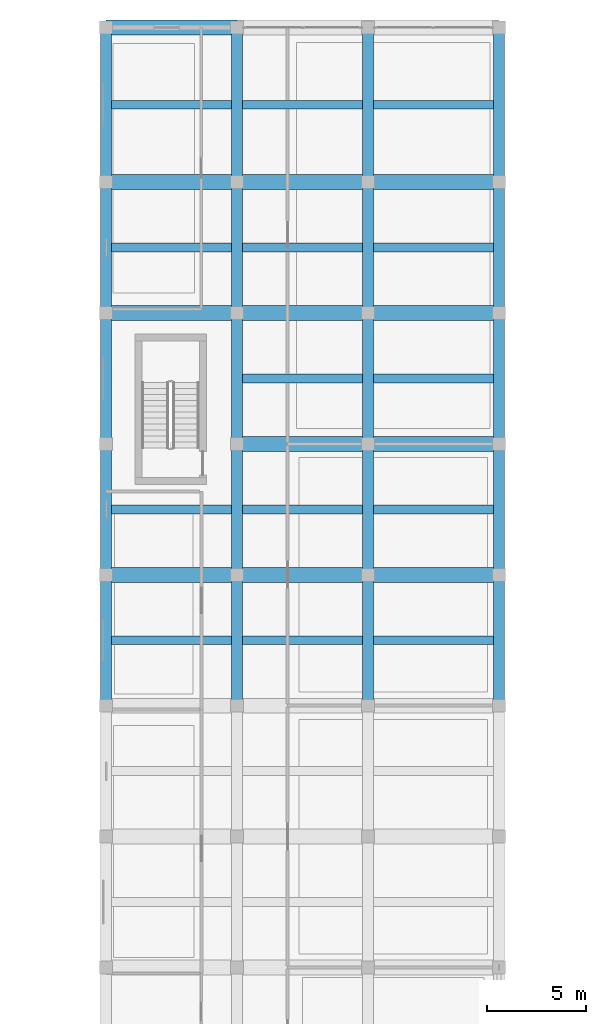
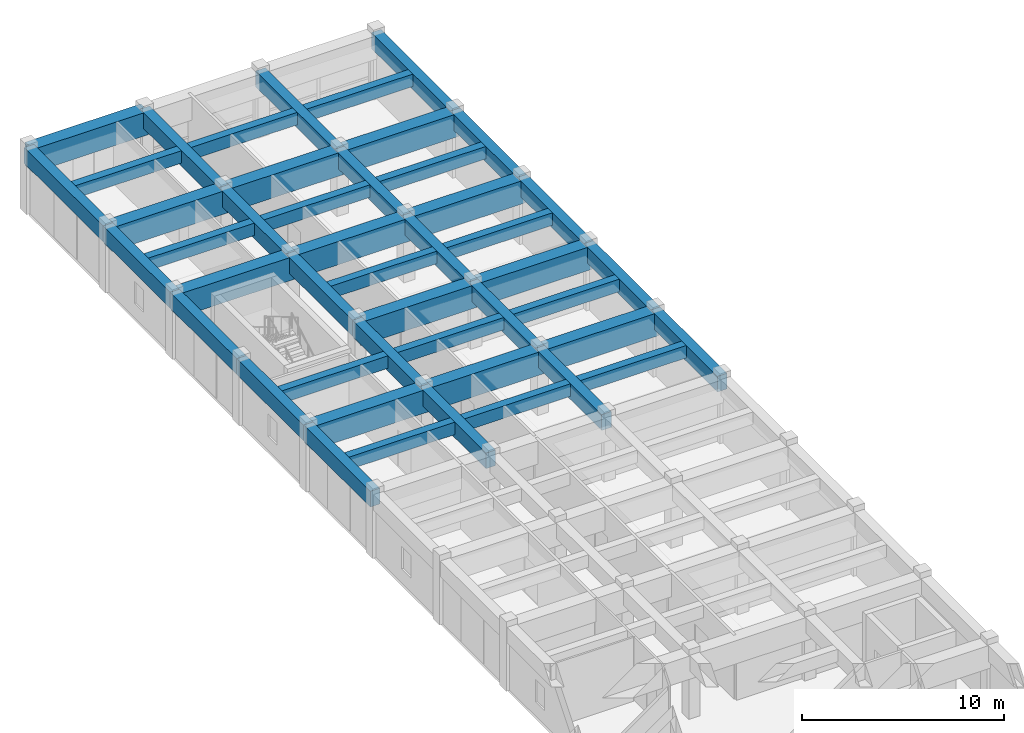
# One storey, part 97 of 147: 46 beams.
"""IFC4 building model written with IfcOpenShell, lengths in metres."""

from ifc_helpers import new_model, si_unit, direction, frame, origin, origin_2d, place, context, subcontext, project, spatial, rectangle, extrude, material, material_profile, profile_set, type_object, element, save


model = new_model("IFC4")

# Units and contexts
model_context = context("Model", 3, precision=1e-05, world=origin(), true_north=direction((0.0, 1.0)))
body_context = subcontext(model_context, "Body", "Model", "MODEL_VIEW")
ifc_project = project(units=[si_unit("LENGTHUNIT", "METRE"), si_unit("AREAUNIT", "SQUARE_METRE"), si_unit("VOLUMEUNIT", "CUBIC_METRE"), si_unit("PLANEANGLEUNIT", "RADIAN"), si_unit("MASSUNIT", "GRAM", prefix="KILO")], contexts=[model_context])

# Site, building, storey
site_placement = place(None, origin())
site = spatial("IfcSite", under=ifc_project, at=site_placement, CompositionType="ELEMENT")
building_placement = place(site_placement, origin())
building = spatial("IfcBuilding", under=site, at=building_placement, Name="Karori Crest Natural Sciences Institute", CompositionType="ELEMENT")
storey_placement = place(building_placement, frame((0.0, 0.0, 9.10009765625)))
storey = spatial("IfcBuildingStorey", under=building, at=storey_placement, Name="L02", CompositionType="ELEMENT", Elevation=9.10009765625)

# Beams
ifc_material = material(Name="Concrete 50 MPa", Category="concrete")
ifc_material_profile_1 = material_profile(ifc_material, rectangle(XDim=0.75, YDim=1.39990234375, at=origin_2d()), Name="RCB750x1400")
ifc_profile_set_1 = profile_set([ifc_material_profile_1], Name="Concrete 50 MPa")
beam_type_1 = type_object("IfcBeamType", Name="BT-17", PredefinedType="BEAM", material=ifc_profile_set_1)
beam_1_placement = place(storey_placement, frame((7.39990234375, 162.199951171875, 3.14990234375), z_axis=(1.0, 0.0, 0.0), x_axis=(0.0, 1.0, 0.0)))
element("IfcBeam", 1, at=beam_1_placement, inside=storey, type_object=beam_type_1, Name="Beam B-1579", PredefinedType="BEAM", context=body_context, shape_type="SweptSolid", body=[
    extrude(rectangle(XDim=0.75, YDim=1.39990234375, at=origin_2d()), origin(), (0.0, 0.0, 1.0), 6.60009765625),
])
ifc_material_profile_2 = material_profile(ifc_material, rectangle(XDim=0.75, YDim=1.39990234375, at=origin_2d()), Name="RCB750x1400")
ifc_profile_set_2 = profile_set([ifc_material_profile_2], Name="Concrete 50 MPa")
beam_type_2 = type_object("IfcBeamType", Name="BT-17-IL", PredefinedType="BEAM", material=ifc_profile_set_2)
for number, where, z_axis, x_axis, name in (
    (2, (7.39990234375, 134.60009765625, 3.14990234375), (1.0, 0.0, 0.0), (0.0, 1.0, 0.0), "Beam B-1568"),
    (3, (14.0, 134.60009765625, 3.14990234375), (1.0, 0.0, 0.0), (0.0, 1.0, 0.0), "Beam B-1569"),
):
    element("IfcBeam", number, at=place(storey_placement, frame(where, z_axis=z_axis, x_axis=x_axis)), inside=storey, type_object=beam_type_2, Name=name, PredefinedType="BEAM", context=body_context, shape_type="SweptSolid", body=[
        extrude(rectangle(XDim=0.75, YDim=1.39990234375, at=origin_2d()), origin(), (0.0, 0.0, 1.0), 6.60009765625),
    ])
beam_2_placement = place(storey_placement, frame((20.60009765625, 134.60009765625, 3.14990234375), z_axis=(1.0, 0.0, 0.0), x_axis=(0.0, 1.0, 0.0)))
element("IfcBeam", 4, at=beam_2_placement, inside=storey, type_object=beam_type_2, Name="Beam B-1570", PredefinedType="BEAM", context=body_context, shape_type="SweptSolid", body=[
    extrude(rectangle(XDim=0.75, YDim=1.39990234375, at=origin_2d()), origin(), (0.0, 0.0, 1.0), 6.599853515625),
])
beam_3_placement = place(storey_placement, frame((14.0, 141.199951171875, 3.14990234375), z_axis=(1.0, 0.0, 0.0), x_axis=(0.0, 1.0, 0.0)))
element("IfcBeam", 5, at=beam_3_placement, inside=storey, type_object=beam_type_2, Name="Beam B-1571", PredefinedType="BEAM", context=body_context, shape_type="SweptSolid", body=[
    extrude(rectangle(XDim=0.75, YDim=1.39990234375, at=origin_2d()), origin(), (0.0, 0.0, 1.0), 6.60009765625),
])
beam_4_placement = place(storey_placement, frame((20.60009765625, 141.199951171875, 3.14990234375), z_axis=(1.0, 0.0, 0.0), x_axis=(0.0, 1.0, 0.0)))
element("IfcBeam", 6, at=beam_4_placement, inside=storey, type_object=beam_type_2, Name="Beam B-1572", PredefinedType="BEAM", context=body_context, shape_type="SweptSolid", body=[
    extrude(rectangle(XDim=0.75, YDim=1.39990234375, at=origin_2d()), origin(), (0.0, 0.0, 1.0), 6.599853515625),
])
for number, where, z_axis, x_axis, name in (
    (7, (7.39990234375, 147.800048828125, 3.14990234375), (1.0, 0.0, 0.0), (0.0, 1.0, 0.0), "Beam B-1573"),
    (8, (14.0, 147.800048828125, 3.14990234375), (1.0, 0.0, 0.0), (0.0, 1.0, 0.0), "Beam B-1574"),
):
    element("IfcBeam", number, at=place(storey_placement, frame(where, z_axis=z_axis, x_axis=x_axis)), inside=storey, type_object=beam_type_2, Name=name, PredefinedType="BEAM", context=body_context, shape_type="SweptSolid", body=[
        extrude(rectangle(XDim=0.75, YDim=1.39990234375, at=origin_2d()), origin(), (0.0, 0.0, 1.0), 6.60009765625),
    ])
beam_5_placement = place(storey_placement, frame((20.60009765625, 147.800048828125, 3.14990234375), z_axis=(1.0, 0.0, 0.0), x_axis=(0.0, 1.0, 0.0)))
element("IfcBeam", 9, at=beam_5_placement, inside=storey, type_object=beam_type_2, Name="Beam B-1575", PredefinedType="BEAM", context=body_context, shape_type="SweptSolid", body=[
    extrude(rectangle(XDim=0.75, YDim=1.39990234375, at=origin_2d()), origin(), (0.0, 0.0, 1.0), 6.599853515625),
])
for number, where, z_axis, x_axis, name in (
    (10, (7.39990234375, 154.39990234375, 3.14990234375), (1.0, 0.0, 0.0), (0.0, 1.0, 0.0), "Beam B-1576"),
    (11, (14.0, 154.39990234375, 3.14990234375), (1.0, 0.0, 0.0), (0.0, 1.0, 0.0), "Beam B-1577"),
):
    element("IfcBeam", number, at=place(storey_placement, frame(where, z_axis=z_axis, x_axis=x_axis)), inside=storey, type_object=beam_type_2, Name=name, PredefinedType="BEAM", context=body_context, shape_type="SweptSolid", body=[
        extrude(rectangle(XDim=0.75, YDim=1.39990234375, at=origin_2d()), origin(), (0.0, 0.0, 1.0), 6.60009765625),
    ])
beam_6_placement = place(storey_placement, frame((20.60009765625, 154.39990234375, 3.14990234375), z_axis=(1.0, 0.0, 0.0), x_axis=(0.0, 1.0, 0.0)))
element("IfcBeam", 12, at=beam_6_placement, inside=storey, type_object=beam_type_2, Name="Beam B-1578", PredefinedType="BEAM", context=body_context, shape_type="SweptSolid", body=[
    extrude(rectangle(XDim=0.75, YDim=1.39990234375, at=origin_2d()), origin(), (0.0, 0.0, 1.0), 6.599853515625),
])
ifc_material_profile_3 = material_profile(ifc_material, rectangle(XDim=0.550048828125, YDim=0.949951171875, at=origin_2d()), Name="RCB550x950")
ifc_profile_set_3 = profile_set([ifc_material_profile_3], Name="Concrete 50 MPa")
beam_type_3 = type_object("IfcBeamType", Name="BT-34", PredefinedType="BEAM", material=ifc_profile_set_3)
beam_7_placement = place(storey_placement, frame((7.39990234375, 128.0, 3.375), z_axis=(0.0, 1.0, 0.0), x_axis=(-1.0, 0.0, 0.0)))
element("IfcBeam", 13, at=beam_7_placement, inside=storey, type_object=beam_type_3, Name="Beam B-1587", PredefinedType="BEAM", context=body_context, shape_type="SweptSolid", body=[
    extrude(rectangle(XDim=0.550048828125, YDim=0.949951171875, at=origin_2d()), origin(), (0.0, 0.0, 1.0), 6.60009765625),
])
beam_8_placement = place(storey_placement, frame((7.39990234375, 134.60009765625, 3.375), z_axis=(0.0, 1.0, 0.0), x_axis=(-1.0, 0.0, 0.0)))
element("IfcBeam", 14, at=beam_8_placement, inside=storey, type_object=beam_type_3, Name="Beam B-1588", PredefinedType="BEAM", context=body_context, shape_type="SweptSolid", body=[
    extrude(rectangle(XDim=0.550048828125, YDim=0.949951171875, at=origin_2d()), origin(), (0.0, 0.0, 1.0), 6.599853515625),
])
beam_9_placement = place(storey_placement, frame((7.39990234375, 141.199951171875, 3.375), z_axis=(0.0, 1.0, 0.0), x_axis=(-1.0, 0.0, 0.0)))
element("IfcBeam", 15, at=beam_9_placement, inside=storey, type_object=beam_type_3, Name="Beam B-1589", PredefinedType="BEAM", context=body_context, shape_type="SweptSolid", body=[
    extrude(rectangle(XDim=0.550048828125, YDim=0.949951171875, at=origin_2d()), origin(), (0.0, 0.0, 1.0), 6.60009765625),
])
beam_10_placement = place(storey_placement, frame((7.39990234375, 147.800048828125, 3.375), z_axis=(0.0, 1.0, 0.0), x_axis=(-1.0, 0.0, 0.0)))
element("IfcBeam", 16, at=beam_10_placement, inside=storey, type_object=beam_type_3, Name="Beam B-1590", PredefinedType="BEAM", context=body_context, shape_type="SweptSolid", body=[
    extrude(rectangle(XDim=0.550048828125, YDim=0.949951171875, at=origin_2d()), origin(), (0.0, 0.0, 1.0), 6.599853515625),
])
beam_11_placement = place(storey_placement, frame((7.39990234375, 154.39990234375, 3.375), z_axis=(0.0, 1.0, 0.0), x_axis=(-1.0, 0.0, 0.0)))
element("IfcBeam", 17, at=beam_11_placement, inside=storey, type_object=beam_type_3, Name="Beam B-1591", PredefinedType="BEAM", context=body_context, shape_type="SweptSolid", body=[
    extrude(rectangle(XDim=0.550048828125, YDim=0.949951171875, at=origin_2d()), origin(), (0.0, 0.0, 1.0), 7.800048828125),
])
beam_12_placement = place(storey_placement, frame((27.199951171875, 128.0, 3.375), z_axis=(0.0, 1.0, 0.0), x_axis=(-1.0, 0.0, 0.0)))
element("IfcBeam", 18, at=beam_12_placement, inside=storey, type_object=beam_type_3, Name="Beam B-1617", PredefinedType="BEAM", context=body_context, shape_type="SweptSolid", body=[
    extrude(rectangle(XDim=0.550048828125, YDim=0.949951171875, at=origin_2d()), origin(), (0.0, 0.0, 1.0), 6.60009765625),
])
beam_13_placement = place(storey_placement, frame((27.199951171875, 134.60009765625, 3.375), z_axis=(0.0, 1.0, 0.0), x_axis=(-1.0, 0.0, 0.0)))
element("IfcBeam", 19, at=beam_13_placement, inside=storey, type_object=beam_type_3, Name="Beam B-1618", PredefinedType="BEAM", context=body_context, shape_type="SweptSolid", body=[
    extrude(rectangle(XDim=0.550048828125, YDim=0.949951171875, at=origin_2d()), origin(), (0.0, 0.0, 1.0), 6.599853515625),
])
beam_14_placement = place(storey_placement, frame((27.199951171875, 141.199951171875, 3.375), z_axis=(0.0, 1.0, 0.0), x_axis=(-1.0, 0.0, 0.0)))
element("IfcBeam", 20, at=beam_14_placement, inside=storey, type_object=beam_type_3, Name="Beam B-1619", PredefinedType="BEAM", context=body_context, shape_type="SweptSolid", body=[
    extrude(rectangle(XDim=0.550048828125, YDim=0.949951171875, at=origin_2d()), origin(), (0.0, 0.0, 1.0), 6.60009765625),
])
beam_15_placement = place(storey_placement, frame((27.199951171875, 147.800048828125, 3.375), z_axis=(0.0, 1.0, 0.0), x_axis=(-1.0, 0.0, 0.0)))
element("IfcBeam", 21, at=beam_15_placement, inside=storey, type_object=beam_type_3, Name="Beam B-1620", PredefinedType="BEAM", context=body_context, shape_type="SweptSolid", body=[
    extrude(rectangle(XDim=0.550048828125, YDim=0.949951171875, at=origin_2d()), origin(), (0.0, 0.0, 1.0), 6.599853515625),
])
beam_16_placement = place(storey_placement, frame((27.199951171875, 154.39990234375, 3.375), z_axis=(0.0, 1.0, 0.0), x_axis=(-1.0, 0.0, 0.0)))
element("IfcBeam", 22, at=beam_16_placement, inside=storey, type_object=beam_type_3, Name="Beam B-1621", PredefinedType="BEAM", context=body_context, shape_type="SweptSolid", body=[
    extrude(rectangle(XDim=0.550048828125, YDim=0.949951171875, at=origin_2d()), origin(), (0.0, 0.0, 1.0), 7.800048828125),
])
ifc_material_profile_4 = material_profile(ifc_material, rectangle(XDim=0.550048828125, YDim=0.949951171875, at=origin_2d()), Name="RCB550x950")
ifc_profile_set_4 = profile_set([ifc_material_profile_4], Name="Concrete 50 MPa")
beam_type_4 = type_object("IfcBeamType", Name="BT-34-IL", PredefinedType="BEAM", material=ifc_profile_set_4)
beam_17_placement = place(storey_placement, frame((14.0, 128.0, 3.375), z_axis=(0.0, 1.0, 0.0), x_axis=(-1.0, 0.0, 0.0)))
element("IfcBeam", 23, at=beam_17_placement, inside=storey, type_object=beam_type_4, Name="Beam B-1597", PredefinedType="BEAM", context=body_context, shape_type="SweptSolid", body=[
    extrude(rectangle(XDim=0.550048828125, YDim=0.949951171875, at=origin_2d()), origin(), (0.0, 0.0, 1.0), 6.60009765625),
])
beam_18_placement = place(storey_placement, frame((14.0, 134.60009765625, 3.375), z_axis=(0.0, 1.0, 0.0), x_axis=(-1.0, 0.0, 0.0)))
element("IfcBeam", 24, at=beam_18_placement, inside=storey, type_object=beam_type_4, Name="Beam B-1598", PredefinedType="BEAM", context=body_context, shape_type="SweptSolid", body=[
    extrude(rectangle(XDim=0.550048828125, YDim=0.949951171875, at=origin_2d()), origin(), (0.0, 0.0, 1.0), 6.599853515625),
])
beam_19_placement = place(storey_placement, frame((14.0, 141.199951171875, 3.375), z_axis=(0.0, 1.0, 0.0), x_axis=(-1.0, 0.0, 0.0)))
element("IfcBeam", 25, at=beam_19_placement, inside=storey, type_object=beam_type_4, Name="Beam B-1599", PredefinedType="BEAM", context=body_context, shape_type="SweptSolid", body=[
    extrude(rectangle(XDim=0.550048828125, YDim=0.949951171875, at=origin_2d()), origin(), (0.0, 0.0, 1.0), 6.60009765625),
])
beam_20_placement = place(storey_placement, frame((14.0, 147.800048828125, 3.375), z_axis=(0.0, 1.0, 0.0), x_axis=(-1.0, 0.0, 0.0)))
element("IfcBeam", 26, at=beam_20_placement, inside=storey, type_object=beam_type_4, Name="Beam B-1600", PredefinedType="BEAM", context=body_context, shape_type="SweptSolid", body=[
    extrude(rectangle(XDim=0.550048828125, YDim=0.949951171875, at=origin_2d()), origin(), (0.0, 0.0, 1.0), 6.599853515625),
])
beam_21_placement = place(storey_placement, frame((14.0, 154.39990234375, 3.375), z_axis=(0.0, 1.0, 0.0), x_axis=(-1.0, 0.0, 0.0)))
element("IfcBeam", 27, at=beam_21_placement, inside=storey, type_object=beam_type_4, Name="Beam B-1601", PredefinedType="BEAM", context=body_context, shape_type="SweptSolid", body=[
    extrude(rectangle(XDim=0.550048828125, YDim=0.949951171875, at=origin_2d()), origin(), (0.0, 0.0, 1.0), 7.800048828125),
])
beam_22_placement = place(storey_placement, frame((20.60009765625, 128.0, 3.375), z_axis=(0.0, 1.0, 0.0), x_axis=(-1.0, 0.0, 0.0)))
element("IfcBeam", 28, at=beam_22_placement, inside=storey, type_object=beam_type_4, Name="Beam B-1607", PredefinedType="BEAM", context=body_context, shape_type="SweptSolid", body=[
    extrude(rectangle(XDim=0.550048828125, YDim=0.949951171875, at=origin_2d()), origin(), (0.0, 0.0, 1.0), 6.60009765625),
])
beam_23_placement = place(storey_placement, frame((20.60009765625, 134.60009765625, 3.375), z_axis=(0.0, 1.0, 0.0), x_axis=(-1.0, 0.0, 0.0)))
element("IfcBeam", 29, at=beam_23_placement, inside=storey, type_object=beam_type_4, Name="Beam B-1608", PredefinedType="BEAM", context=body_context, shape_type="SweptSolid", body=[
    extrude(rectangle(XDim=0.550048828125, YDim=0.949951171875, at=origin_2d()), origin(), (0.0, 0.0, 1.0), 6.599853515625),
])
beam_24_placement = place(storey_placement, frame((20.60009765625, 141.199951171875, 3.375), z_axis=(0.0, 1.0, 0.0), x_axis=(-1.0, 0.0, 0.0)))
element("IfcBeam", 30, at=beam_24_placement, inside=storey, type_object=beam_type_4, Name="Beam B-1609", PredefinedType="BEAM", context=body_context, shape_type="SweptSolid", body=[
    extrude(rectangle(XDim=0.550048828125, YDim=0.949951171875, at=origin_2d()), origin(), (0.0, 0.0, 1.0), 6.60009765625),
])
beam_25_placement = place(storey_placement, frame((20.60009765625, 147.800048828125, 3.375), z_axis=(0.0, 1.0, 0.0), x_axis=(-1.0, 0.0, 0.0)))
element("IfcBeam", 31, at=beam_25_placement, inside=storey, type_object=beam_type_4, Name="Beam B-1610", PredefinedType="BEAM", context=body_context, shape_type="SweptSolid", body=[
    extrude(rectangle(XDim=0.550048828125, YDim=0.949951171875, at=origin_2d()), origin(), (0.0, 0.0, 1.0), 6.599853515625),
])
beam_26_placement = place(storey_placement, frame((20.60009765625, 154.39990234375, 3.375), z_axis=(0.0, 1.0, 0.0), x_axis=(-1.0, 0.0, 0.0)))
element("IfcBeam", 32, at=beam_26_placement, inside=storey, type_object=beam_type_4, Name="Beam B-1611", PredefinedType="BEAM", context=body_context, shape_type="SweptSolid", body=[
    extrude(rectangle(XDim=0.550048828125, YDim=0.949951171875, at=origin_2d()), origin(), (0.0, 0.0, 1.0), 7.800048828125),
])
ifc_material_profile_5 = material_profile(ifc_material, rectangle(XDim=0.449951171875, YDim=0.75, at=origin_2d()), Name="RCB450x750")
ifc_profile_set_5 = profile_set([ifc_material_profile_5], Name="Concrete 50 MPa")
beam_type_5 = type_object("IfcBeamType", Name="BT-35", PredefinedType="BEAM", material=ifc_profile_set_5)
for number, where, z_axis, x_axis, name in (
    (33, (7.675048828125, 131.300048828125, 3.474853515625), (1.0, 0.0, 0.0), (0.0, 1.0, 0.0), "Beam B-1625"),
    (34, (7.675048828125, 137.89990234375, 3.474853515625), (1.0, 0.0, 0.0), (0.0, 1.0, 0.0), "Beam B-1626"),
    (35, (7.675048828125, 151.10009765625, 3.474853515625), (1.0, 0.0, 0.0), (0.0, 1.0, 0.0), "Beam B-1627"),
    (36, (7.675048828125, 158.300048828125, 3.474853515625), (1.0, 0.0, 0.0), (0.0, 1.0, 0.0), "Beam B-1628"),
    (37, (14.27490234375, 131.300048828125, 3.474853515625), (1.0, 0.0, 0.0), (0.0, 1.0, 0.0), "Beam B-1634"),
    (38, (14.27490234375, 137.89990234375, 3.474853515625), (1.0, 0.0, 0.0), (0.0, 1.0, 0.0), "Beam B-1635"),
    (39, (14.27490234375, 144.5, 3.474853515625), (1.0, 0.0, 0.0), (0.0, 1.0, 0.0), "Beam B-1636"),
    (40, (14.27490234375, 151.10009765625, 3.474853515625), (1.0, 0.0, 0.0), (0.0, 1.0, 0.0), "Beam B-1637"),
    (41, (14.27490234375, 158.300048828125, 3.474853515625), (1.0, 0.0, 0.0), (0.0, 1.0, 0.0), "Beam B-1638"),
    (42, (20.875, 131.300048828125, 3.474853515625), (1.0, 0.0, 0.0), (0.0, 1.0, 0.0), "Beam B-1643"),
    (43, (20.875, 137.89990234375, 3.474853515625), (1.0, 0.0, 0.0), (0.0, 1.0, 0.0), "Beam B-1644"),
    (44, (20.875, 144.5, 3.474853515625), (1.0, 0.0, 0.0), (0.0, 1.0, 0.0), "Beam B-1645"),
    (45, (20.875, 151.10009765625, 3.474853515625), (1.0, 0.0, 0.0), (0.0, 1.0, 0.0), "Beam B-1646"),
    (46, (20.875, 158.300048828125, 3.474853515625), (1.0, 0.0, 0.0), (0.0, 1.0, 0.0), "Beam B-1647"),
):
    element("IfcBeam", number, at=place(storey_placement, frame(where, z_axis=z_axis, x_axis=x_axis)), inside=storey, type_object=beam_type_5, Name=name, PredefinedType="BEAM", context=body_context, shape_type="SweptSolid", body=[
        extrude(rectangle(XDim=0.449951171875, YDim=0.75, at=origin_2d()), origin(), (0.0, 0.0, 1.0), 6.050048828125),
    ])

save(model, "model.ifc")
